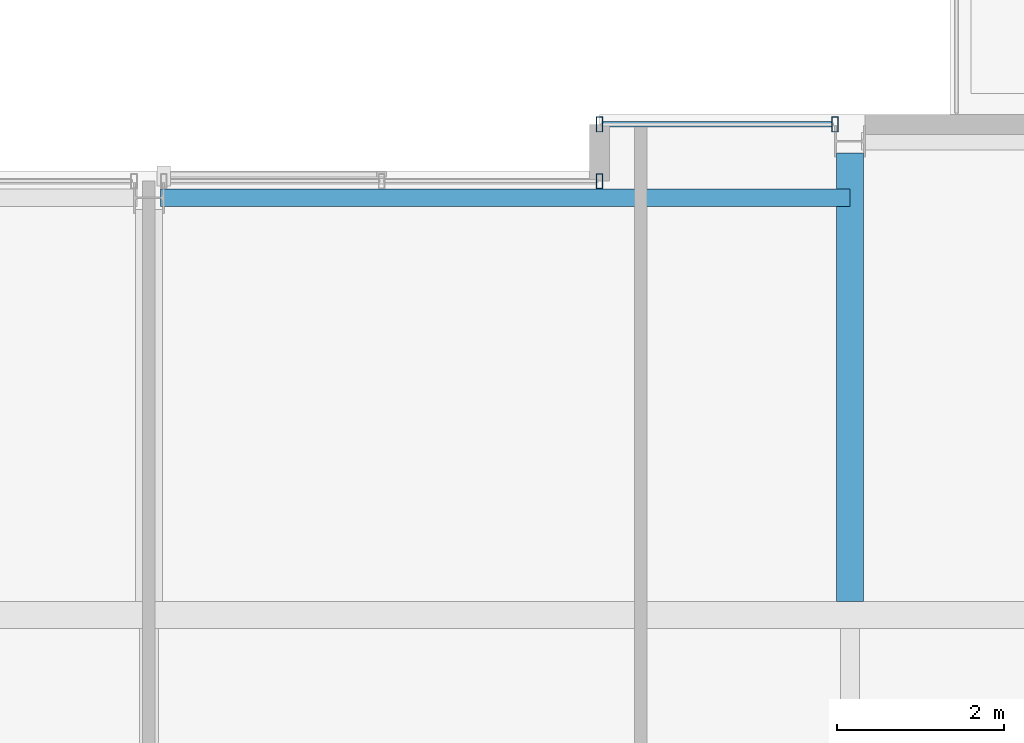
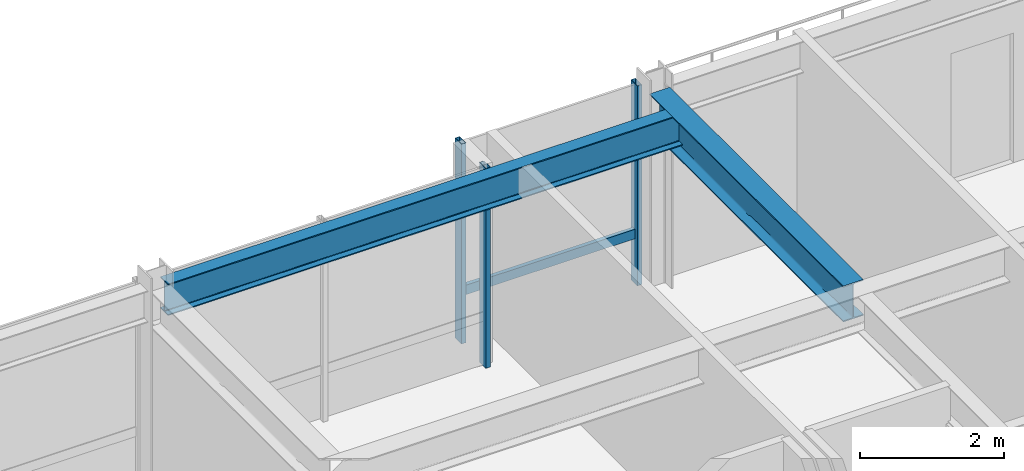
# One storey, part 21 of 32: 4 members, 2 beams, 2 elements without a shape of their own.
"""IFC4 building model written with IfcOpenShell, lengths in metres."""

from ifc_helpers import new_model, si_unit, direction, frame, origin, origin_2d, place, context, subcontext, project, spatial, hollow_rectangle, i_section, extrude, material, layer, layer_set, material_profile, profile_set, type_object, element, aggregate, save


model = new_model("IFC4")

# Units and contexts
model_context = context("Model", 3, precision=1e-05, world=origin(), true_north=direction((0.0, 1.0)))
body_context = subcontext(model_context, "Body", "Model", "MODEL_VIEW")
ifc_project = project(units=[si_unit("LENGTHUNIT", "METRE"), si_unit("AREAUNIT", "SQUARE_METRE"), si_unit("VOLUMEUNIT", "CUBIC_METRE"), si_unit("PLANEANGLEUNIT", "RADIAN"), si_unit("MASSUNIT", "GRAM", prefix="KILO")], contexts=[model_context])

# Site, building, storey
site_placement = place(None, origin())
site = spatial("IfcSite", under=ifc_project, at=site_placement, CompositionType="ELEMENT")
building_placement = place(site_placement, origin())
building = spatial("IfcBuilding", under=site, at=building_placement, Name="Drelvath Grand Hotel", CompositionType="ELEMENT")
storey_placement = place(building_placement, frame((0.0, 0.0, 265.0)))
storey = spatial("IfcBuildingStorey", under=building, at=storey_placement, Name="L69", CompositionType="ELEMENT", Elevation=265.0)

# Curtain wall, member
ifc_material_1 = material(Name="Platinum-Mist Anodised Aluminium Frame", Category="aluminium")
ifc_layer = layer(ifc_material_1, 0.199951171875)
ifc_layer_set = layer_set([ifc_layer], Name="Platinum-Mist Anodised Aluminium Frame")
curtain_wall_type = type_object("IfcCurtainWallType", Name="Stick Curtain Wall CW-05 Platinum Mist High-Rise", PredefinedType="NOTDEFINED", material=ifc_layer_set)
curtain_wall_1_placement = place(storey_placement, origin())
curtain_wall_1 = element("IfcCurtainWall", 1, at=curtain_wall_1_placement, inside=storey, type_object=curtain_wall_type, Name="L69 CW-05 Curtain Wall CW05-L69-NE1", PredefinedType="NOTDEFINED")
ifc_material_profile_1 = material_profile(ifc_material_1, hollow_rectangle(XDim=0.06494140625, YDim=0.159912109375, WallThickness=0.00390625, at=origin_2d()), Name="HSS160X65X4")
ifc_profile_set_1 = profile_set([ifc_material_profile_1], Name="Platinum-Mist Anodised Aluminium Frame")
member_type_1 = type_object("IfcMemberType", Name="Curtain Wall Horizontal Transom CW-05 HSS160X65X4", PredefinedType="USERDEFINED", material=ifc_profile_set_1)
member_1_placement = place(storey_placement, frame((5.43994140625, 49.080078125, 0.847412109375), z_axis=(1.0, 0.0, 0.0), x_axis=(0.0, 1.0, 0.0)))
member_1 = element("IfcMember", 2, at=member_1_placement, type_object=member_type_1, Name="CW05-L69-NE1 Sill Transom", ObjectType="TRANSOM", PredefinedType="USERDEFINED", context=body_context, shape_type="SweptSolid", body=[
    extrude(hollow_rectangle(XDim=0.06494140625, YDim=0.159912109375, WallThickness=0.00390625, at=origin_2d()), origin(), (0.0, 0.0, 1.0), 2.741943359375),
])

curtain_wall_2_placement = place(storey_placement, origin())
curtain_wall_2 = element("IfcCurtainWall", 3, at=curtain_wall_2_placement, inside=storey, type_object=curtain_wall_type, Name="L69 CW-05 Curtain Wall CW05-L69-NM2", PredefinedType="NOTDEFINED")
ifc_material_profile_2 = material_profile(ifc_material_1, hollow_rectangle(XDim=0.074951171875, YDim=0.179931640625, WallThickness=0.0048828125, at=origin_2d()), Name="HSS180X75X5")
ifc_profile_set_2 = profile_set([ifc_material_profile_2], Name="Platinum-Mist Anodised Aluminium Frame")
member_type_2 = type_object("IfcMemberType", Name="Curtain Wall Vertical Mullion CW-05 HSS180X75X5", PredefinedType="MULLION", material=ifc_profile_set_2)
member_2_placement = place(storey_placement, frame((5.39990234375, 48.39990234375, 0.0), z_axis=(0.0, 0.0, 1.0), x_axis=(1.0, 0.0, 0.0)))
member_2 = element("IfcMember", 4, at=member_2_placement, type_object=member_type_2, Name="CW05-L69-NM2 Mullion 3", PredefinedType="MULLION", context=body_context, shape_type="SweptSolid", body=[
    extrude(hollow_rectangle(XDim=0.074951171875, YDim=0.179931640625, WallThickness=0.0048828125, at=origin_2d()), origin(), (0.0, 0.0, 1.0), 3.389892578125),
])
aggregate(curtain_wall_2, [member_2])

# Member
member_3_placement = place(storey_placement, frame((5.39990234375, 49.080078125, 0.0), z_axis=(0.0, 0.0, 1.0), x_axis=(1.0, 0.0, 0.0)))
member_3 = element("IfcMember", 5, at=member_3_placement, type_object=member_type_2, Name="CW05-L69-NE1 Mullion 1", PredefinedType="MULLION", context=body_context, shape_type="SweptSolid", body=[
    extrude(hollow_rectangle(XDim=0.074951171875, YDim=0.179931640625, WallThickness=0.0048828125, at=origin_2d()), origin(), (0.0, 0.0, 1.0), 3.389892578125),
])

member_4_placement = place(storey_placement, frame((8.2216796875, 49.080078125, 0.0), z_axis=(0.0, 0.0, 1.0), x_axis=(1.0, 0.0, 0.0)))
member_4 = element("IfcMember", 6, at=member_4_placement, type_object=member_type_2, Name="CW05-L69-NE1 Mullion 2", PredefinedType="MULLION", context=body_context, shape_type="SweptSolid", body=[
    extrude(hollow_rectangle(XDim=0.074951171875, YDim=0.179931640625, WallThickness=0.0048828125, at=origin_2d()), origin(), (0.0, 0.0, 1.0), 3.389892578125),
])

aggregate(curtain_wall_1, [member_3, member_4, member_1])

# Beams
ifc_material_2 = material(Name="Steel ASTM A992 Gr 50", Category="steel")
ifc_material_profile_3 = material_profile(ifc_material_2, i_section(OverallWidth=0.210205078125, OverallDepth=0.53662109375, WebThickness=0.010986328125, FlangeThickness=0.017333984375, FilletRadius=0.01806640625, at=origin_2d()), Name="W21X68")
ifc_profile_set_3 = profile_set([ifc_material_profile_3], Name="Steel ASTM A992 Gr 50")
beam_type_1 = type_object("IfcBeamType", Name="Perimeter Spandrel Beam W21X68", PredefinedType="SPANDREL", material=ifc_profile_set_3)
beam_1_placement = place(storey_placement, frame((0.139892578125, 48.199951171875, 3.12158203125), z_axis=(1.0, 0.0, 0.0), x_axis=(0.0, 1.0, 0.0)))
element("IfcBeam", 7, at=beam_1_placement, inside=storey, type_object=beam_type_1, Name="L69 Spandrel North Mid E", PredefinedType="SPANDREL", context=body_context, shape_type="SweptSolid", body=[
    extrude(i_section(OverallWidth=0.210205078125, OverallDepth=0.53662109375, WebThickness=0.010986328125, FlangeThickness=0.017333984375, FilletRadius=0.01806640625, at=origin_2d()), origin(), (0.0, 0.0, 1.0), 8.260009765625),
])
ifc_material_profile_4 = material_profile(ifc_material_2, i_section(OverallWidth=0.323974609375, OverallDepth=0.611083984375, WebThickness=0.0126953125, FlangeThickness=0.01904296875, FilletRadius=0.02197265625, at=origin_2d()), Name="W24X104")
ifc_profile_set_4 = profile_set([ifc_material_profile_4], Name="Steel ASTM A992 Gr 50")
beam_type_2 = type_object("IfcBeamType", Name="Primary Floor Girder W24X104", PredefinedType="BEAM", material=ifc_profile_set_4)
beam_2_placement = place(storey_placement, frame((8.39990234375, 43.362060546875, 3.08447265625), z_axis=(0.0, 1.0, 0.0), x_axis=(-1.0, 0.0, 0.0)))
element("IfcBeam", 8, at=beam_2_placement, inside=storey, type_object=beam_type_2, Name="L69 North Wing Girder 6", PredefinedType="BEAM", context=body_context, shape_type="SweptSolid", body=[
    extrude(i_section(OverallWidth=0.323974609375, OverallDepth=0.611083984375, WebThickness=0.0126953125, FlangeThickness=0.01904296875, FilletRadius=0.02197265625, at=origin_2d()), origin(), (0.0, 0.0, 1.0), 5.3779296875),
])

save(model, "model.ifc")
